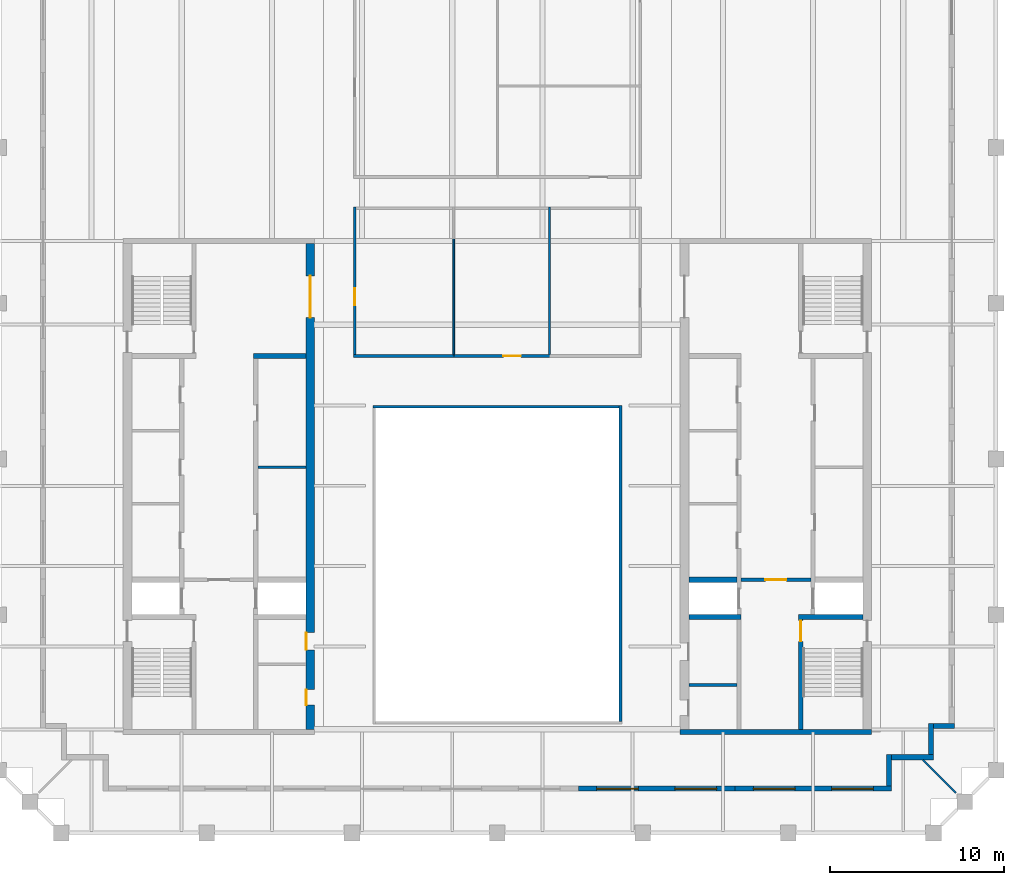
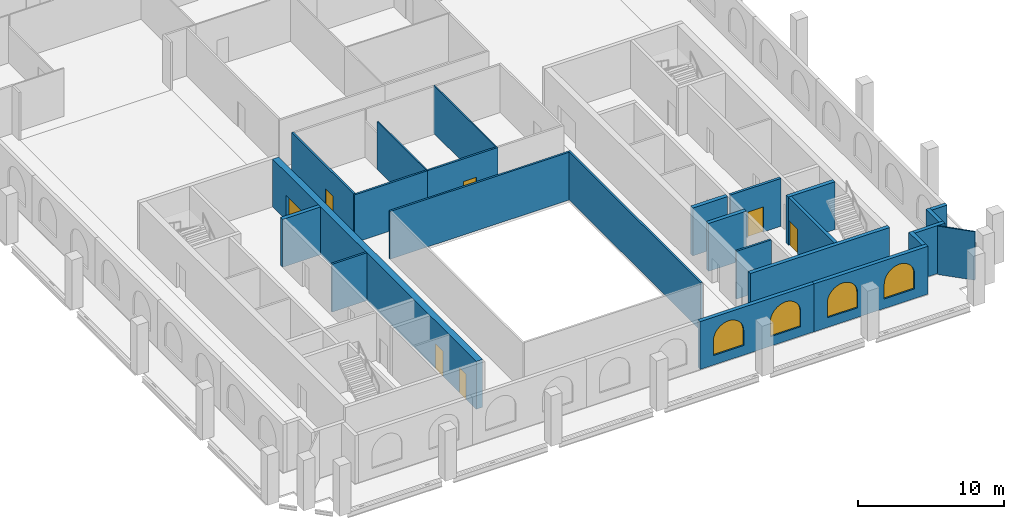
# One storey, part 4 of 10: 24 walls, 7 doors, 4 windows, 11 openings.
"""IFC4 building model written with IfcOpenShell, lengths in metres."""

from ifc_helpers import new_model, si_unit, direction, frame, frame_2d, origin, place, context, subcontext, project, spatial, polyline, rectangle, outline, extrude, material, layer, layer_set, type_object, element, fill, save


model = new_model("IFC4")

# Units and contexts
model_context = context("Model", 3, precision=1e-05, world=origin(), true_north=direction((0.0, 1.0)))
body_context = subcontext(model_context, "Body", "Model", "MODEL_VIEW")
ifc_project = project(units=[si_unit("LENGTHUNIT", "METRE"), si_unit("AREAUNIT", "SQUARE_METRE"), si_unit("VOLUMEUNIT", "CUBIC_METRE"), si_unit("PLANEANGLEUNIT", "RADIAN"), si_unit("MASSUNIT", "GRAM", prefix="KILO")], contexts=[model_context])

# Site, building, storey
site_placement = place(None, origin())
site = spatial("IfcSite", under=ifc_project, at=site_placement, CompositionType="ELEMENT")
building_placement = place(site_placement, origin())
building = spatial("IfcBuilding", under=site, at=building_placement, Name="Ogive Exchange Tower", CompositionType="ELEMENT")
storey_placement = place(building_placement, frame((0.0, 0.0, 369.0)))
storey = spatial("IfcBuildingStorey", under=building, at=storey_placement, Name="C01", CompositionType="ELEMENT", Elevation=369.0)

# Walls
ifc_material_1 = material(Name="Gypsum board partition")
ifc_layer_1 = layer(ifc_material_1, 0.14990234375)
ifc_layer_set_1 = layer_set([ifc_layer_1], Name="Core room partition 150 gypsum")
wall_type_1 = type_object("IfcWallType", Name="Core room partition 150 gypsum", PredefinedType="PARTITIONING", material=ifc_layer_set_1)
for number, where, z_axis, x_axis, name in (
    (1, (-13.75, 12.60009765625, 0.0), (0.0, 0.0, 1.0), (1.0, 0.0, 0.0), "W row B bay partition 1-1"),
    (2, (11.0, 0.10009765625, 0.0), (0.0, 0.0, 1.0), (1.0, 0.0, 0.0), "E south room partition"),
):
    element("IfcWall", number, at=place(storey_placement, frame(where, z_axis=z_axis, x_axis=x_axis)), inside=storey, type_object=wall_type_1, Name=name, PredefinedType="PARTITIONING", context=body_context, shape_type="SweptSolid", body=[
        extrude(rectangle(XDim=2.75, YDim=0.14990234375, at=frame_2d((1.375, 0.0))), origin(), (0.0, 0.0, 1.0), 4.0),
    ])
ifc_layer_2 = layer(ifc_material_1, 0.300048828125)
ifc_layer_set_2 = layer_set([ifc_layer_2], Name="Core room partition 300 gypsum")
wall_type_2 = type_object("IfcWallType", Name="Core room partition 300 gypsum", PredefinedType="PARTITIONING", material=ifc_layer_set_2)
wall_1_placement = place(storey_placement, frame((-14.0, 19.0, 0.0), z_axis=(0.0, 0.0, 1.0), x_axis=(1.0, 0.0, 0.0)))
element("IfcWall", 3, at=wall_1_placement, inside=storey, type_object=wall_type_2, Name="W row B room end wall 7", PredefinedType="PARTITIONING", context=body_context, shape_type="SweptSolid", body=[
    extrude(rectangle(XDim=3.0, YDim=0.300048828125, at=frame_2d((1.5, 0.0))), origin(), (0.0, 0.0, 1.0), 4.0),
])
ifc_material_2 = material(Name="Fire partition EI 60 150")
ifc_layer_3 = layer(ifc_material_2, 0.14990234375)
ifc_layer_set_3 = layer_set([ifc_layer_3], Name="Fire partition EI 60 150")
wall_type_3 = type_object("IfcWallType", Name="Fire partition EI 60 150", PredefinedType="PARTITIONING", material=ifc_layer_set_3)
wall_2_placement = place(storey_placement, frame((-8.27490234375, 19.0, 0.0), z_axis=(0.0, 0.0, 1.0), x_axis=(1.0, 0.0, 0.0)))
element("IfcWall", 4, at=wall_2_placement, inside=storey, type_object=wall_type_3, Name="C01-PWL-009", PredefinedType="PARTITIONING", context=body_context, shape_type="SweptSolid", body=[
    extrude(rectangle(XDim=5.824951171875, YDim=0.14990234375, at=frame_2d((2.91259765625, 0.0))), origin(), (0.0, 0.0, 1.0), 4.0),
])

# Wall, opening, door
wall_3_placement = place(storey_placement, frame((-8.199951171875, 27.554931640625, 0.0), z_axis=(0.0, 0.0, 1.0), x_axis=(0.0, -1.0, 0.0)))
wall_3 = element("IfcWall", 5, at=wall_3_placement, inside=storey, type_object=wall_type_3, Name="C01-PWL-010", PredefinedType="PARTITIONING", context=body_context, shape_type="SweptSolid", body=[
    extrude(rectangle(XDim=8.47998046875, YDim=0.14990234375, at=frame_2d((4.239990234375, 0.0))), origin(), (0.0, 0.0, 1.0), 4.0),
])
opening_1_placement = place(wall_3_placement, frame((4.655029296875, 0.0, 0.0)))
opening_1 = element("IfcOpeningElement", 6, at=opening_1_placement, cuts=wall_3, Name="Opening C01-I12", PredefinedType="OPENING", context=body_context, shape_type="SweptSolid", body=[
    extrude(rectangle(XDim=1.0, YDim=2.10009765625, at=frame_2d((0.5, 1.050048828125))), frame((0.0, 0.0849609375, 0.0), z_axis=(0.0, -1.0, 0.0), x_axis=(1.0, 0.0, 0.0)), (0.0, 0.0, 1.0), 0.169921875),
])
ifc_material_3 = material(Name="Fire door FD 30S 1000 x 2100")
door_type_1 = type_object("IfcDoorType", Name="Fire door FD 30S 1000 x 2100", OperationType="NOTDEFINED", PredefinedType="DOOR", material=ifc_material_3)
door_1_placement = place(opening_1_placement, origin())
door_1 = element("IfcDoor", 7, at=door_1_placement, inside=storey, type_object=door_type_1, Name="C01-IDR-012", ObjectType="DT3", OperationType="SINGLE_SWING_LEFT", OverallHeight=2.10009765625, OverallWidth=1.0, PredefinedType="DOOR", context=body_context, shape_type="SweptSolid", body=[
    extrude(rectangle(XDim=1.0, YDim=2.10009765625, at=frame_2d((0.5, 1.050048828125))), frame((0.0, 0.02490234375, 0.0), z_axis=(0.0, -1.0, 0.0), x_axis=(1.0, 0.0, 0.0)), (0.0, 0.0, 1.0), 0.050048828125),
])
fill(opening_1, door_1)

wall_4_placement = place(storey_placement, frame((-2.5, 19.0, 0.0), z_axis=(0.0, 0.0, 1.0), x_axis=(1.0, 0.0, 0.0)))
wall_4 = element("IfcWall", 8, at=wall_4_placement, inside=storey, type_object=wall_type_3, Name="C01-PWL-018", PredefinedType="PARTITIONING", context=body_context, shape_type="SweptSolid", body=[
    extrude(rectangle(XDim=5.550048828125, YDim=0.14990234375, at=frame_2d((2.77490234375, 0.0))), origin(), (0.0, 0.0, 1.0), 4.0),
])
opening_2_placement = place(wall_4_placement, frame((2.85009765625, 0.0, 0.0)))
opening_2 = element("IfcOpeningElement", 9, at=opening_2_placement, cuts=wall_4, Name="Opening C01-I11", PredefinedType="OPENING", context=body_context, shape_type="SweptSolid", body=[
    extrude(rectangle(XDim=1.0, YDim=2.10009765625, at=frame_2d((0.5, 1.050048828125))), frame((0.0, 0.0849609375, 0.0), z_axis=(0.0, -1.0, 0.0), x_axis=(1.0, 0.0, 0.0)), (0.0, 0.0, 1.0), 0.169921875),
])
door_2_placement = place(opening_2_placement, origin())
door_2 = element("IfcDoor", 10, at=door_2_placement, inside=storey, type_object=door_type_1, Name="C01-IDR-011", ObjectType="DT3", OperationType="SINGLE_SWING_LEFT", OverallHeight=2.10009765625, OverallWidth=1.0, PredefinedType="DOOR", context=body_context, shape_type="SweptSolid", body=[
    extrude(rectangle(XDim=1.0, YDim=2.10009765625, at=frame_2d((0.5, 1.050048828125))), frame((0.0, 0.02490234375, 0.0), z_axis=(0.0, -1.0, 0.0), x_axis=(1.0, 0.0, 0.0)), (0.0, 0.0, 1.0), 0.050048828125),
])
fill(opening_2, door_2)

# Walls
ifc_material_4 = material(Name="Fire-resisting glass in steel frame", Category="steel")
ifc_layer_4 = layer(ifc_material_4, 0.14990234375)
ifc_layer_set_4 = layer_set([ifc_layer_4], Name="Fire-rated glazed wall 150")
wall_type_4 = type_object("IfcWallType", Name="Fire-rated glazed wall 150", PredefinedType="STANDARD", material=ifc_layer_set_4)
wall_5_placement = place(storey_placement, frame((-7.14990234375, 16.074951171875, 0.0), z_axis=(0.0, 0.0, 1.0), x_axis=(1.0, 0.0, 0.0)))
element("IfcWall", 11, at=wall_5_placement, inside=storey, type_object=wall_type_4, Name="Nave enclosure wall 2", PredefinedType="STANDARD", context=body_context, shape_type="SweptSolid", body=[
    extrude(rectangle(XDim=14.14990234375, YDim=0.14990234375, at=frame_2d((7.074951171875, 0.0))), origin(), (0.0, 0.0, 1.0), 4.0),
])
wall_6_placement = place(storey_placement, frame((7.074951171875, 16.14990234375, 0.0), z_axis=(0.0, 0.0, 1.0), x_axis=(0.0, -1.0, 0.0)))
element("IfcWall", 12, at=wall_6_placement, inside=storey, type_object=wall_type_4, Name="Nave enclosure wall 3", PredefinedType="STANDARD", context=body_context, shape_type="SweptSolid", body=[
    extrude(rectangle(XDim=18.14990234375, YDim=0.14990234375, at=frame_2d((9.074951171875, 0.0))), origin(), (0.0, 0.0, 1.0), 4.0),
])
ifc_material_5 = material(Name="Laminated safety glass in steel frame", Category="steel")
ifc_layer_5 = layer(ifc_material_5, 0.10009765625)
ifc_layer_set_5 = layer_set([ifc_layer_5], Name="Loggia end screen 100")
wall_type_5 = type_object("IfcWallType", Name="Loggia end screen 100", PredefinedType="STANDARD", material=ifc_layer_set_5)
wall_7_placement = place(storey_placement, frame((24.449951171875, -4.199951171875, -0.050048828125), z_axis=(0.0, 0.0, 1.0), x_axis=(0.707106781187, -0.707106781187, 0.0)))
element("IfcWall", 13, at=wall_7_placement, inside=storey, type_object=wall_type_5, Name="Loggia end screen C1", PredefinedType="STANDARD", context=body_context, shape_type="SweptSolid", body=[
    extrude(rectangle(XDim=2.667236328125, YDim=0.10009765625, at=frame_2d((1.33349609375, 0.0))), origin(), (0.0, 0.0, 1.0), 4.050048828125),
])
ifc_material_6 = material(Name="Partition 100 gypsum")
ifc_layer_6 = layer(ifc_material_6, 0.10009765625)
ifc_layer_set_6 = layer_set([ifc_layer_6], Name="Partition 100 gypsum")
wall_type_6 = type_object("IfcWallType", Name="Partition 100 gypsum", PredefinedType="PARTITIONING", material=ifc_layer_set_6)
wall_8_placement = place(storey_placement, frame((-2.5, 19.074951171875, 0.0), z_axis=(0.0, 0.0, 1.0), x_axis=(0.0, 1.0, 0.0)))
element("IfcWall", 14, at=wall_8_placement, inside=storey, type_object=wall_type_6, Name="C01-PWL-017", PredefinedType="PARTITIONING", context=body_context, shape_type="SweptSolid", body=[
    extrude(rectangle(XDim=6.670166015625, YDim=0.10009765625, at=frame_2d((3.3349609375, 0.0))), origin(), (0.0, 0.0, 1.0), 4.0),
])
wall_9_placement = place(storey_placement, frame((3.0, 19.074951171875, 0.0), z_axis=(0.0, 0.0, 1.0), x_axis=(0.0, 1.0, 0.0)))
element("IfcWall", 15, at=wall_9_placement, inside=storey, type_object=wall_type_6, Name="C01-PWL-028", PredefinedType="PARTITIONING", context=body_context, shape_type="SweptSolid", body=[
    extrude(rectangle(XDim=8.47998046875, YDim=0.10009765625, at=frame_2d((4.239990234375, 0.0))), origin(), (0.0, 0.0, 1.0), 4.0),
])

# Wall, opening, door
ifc_material_7 = material(Name="Concrete C70/85", Category="concrete")
ifc_layer_7 = layer(ifc_material_7, 0.199951171875)
ifc_layer_set_7 = layer_set([ifc_layer_7], Name="RC core wall 200 C70/85")
wall_type_7 = type_object("IfcWallType", Name="RC core wall 200 C70/85", PredefinedType="SHEAR", material=ifc_layer_set_7)
wall_10_placement = place(storey_placement, frame((14.0, 6.142822265625, 0.0), z_axis=(0.0, 0.0, 1.0), x_axis=(1.0, 0.0, 0.0)))
wall_10 = element("IfcWall", 16, at=wall_10_placement, inside=storey, type_object=wall_type_7, Name="E firefighting lobby wall", PredefinedType="SHEAR", context=body_context, shape_type="SweptSolid", body=[
    extrude(rectangle(XDim=4.0, YDim=0.199951171875, at=frame_2d((2.0, 0.0))), origin(), (0.0, 0.0, 1.0), 4.0),
])
opening_3_placement = place(wall_10_placement, frame((1.39990234375, 0.0, 0.0)))
opening_3 = element("IfcOpeningElement", 17, at=opening_3_placement, cuts=wall_10, Name="Opening C01-C23", PredefinedType="OPENING", context=body_context, shape_type="SweptSolid", body=[
    extrude(rectangle(XDim=1.199951171875, YDim=2.10009765625, at=frame_2d((0.60009765625, 1.050048828125))), frame((0.0, 0.10986328125, 0.0), z_axis=(0.0, -1.0, 0.0), x_axis=(1.0, 0.0, 0.0)), (0.0, 0.0, 1.0), 0.219970703125),
])
ifc_material_8 = material(Name="Steel fire door", Category="steel")
door_type_2 = type_object("IfcDoorType", Name="Firefighting lobby door FD60 1200 x 2100", OperationType="NOTDEFINED", PredefinedType="DOOR", material=ifc_material_8)
door_3_placement = place(opening_3_placement, frame((1.199951171875, 0.0, 0.0), z_axis=(0.0, 0.0, 1.0), x_axis=(-1.0, 0.0, 0.0)))
door_3 = element("IfcDoor", 18, at=door_3_placement, inside=storey, type_object=door_type_2, Name="Firefighting lobby door", ObjectType="CD3", OperationType="SINGLE_SWING_LEFT", OverallHeight=2.10009765625, OverallWidth=1.199951171875, PredefinedType="DOOR", context=body_context, shape_type="SweptSolid", body=[
    extrude(rectangle(XDim=1.199951171875, YDim=2.10009765625, at=frame_2d((0.60009765625, 1.050048828125))), frame((0.0, 0.02490234375, 0.0), z_axis=(0.0, -1.0, 0.0), x_axis=(1.0, 0.0, 0.0)), (0.0, 0.0, 1.0), 0.050048828125),
])
fill(opening_3, door_3)

ifc_layer_8 = layer(ifc_material_7, 0.25)
ifc_layer_set_8 = layer_set([ifc_layer_8], Name="RC core wall 250 C70/85")
wall_type_8 = type_object("IfcWallType", Name="RC core wall 250 C70/85", PredefinedType="SHEAR", material=ifc_layer_set_8)
wall_11_placement = place(storey_placement, frame((17.425048828125, -2.449951171875, 0.0), z_axis=(0.0, 0.0, 1.0), x_axis=(0.0, 1.0, 0.0)))
wall_11 = element("IfcWall", 19, at=wall_11_placement, inside=storey, type_object=wall_type_8, Name="E stair S front wall", PredefinedType="SHEAR", context=body_context, shape_type="SweptSolid", body=[
    extrude(rectangle(XDim=6.300048828125, YDim=0.25, at=frame_2d((3.14990234375, 0.0))), origin(), (0.0, 0.0, 1.0), 4.0),
])
opening_4_placement = place(wall_11_placement, frame((5.050048828125, 0.0, 0.0)))
opening_4 = element("IfcOpeningElement", 20, at=opening_4_placement, cuts=wall_11, Name="Opening C01-C25", PredefinedType="OPENING", context=body_context, shape_type="SweptSolid", body=[
    extrude(rectangle(XDim=1.199951171875, YDim=2.10009765625, at=frame_2d((0.60009765625, 1.050048828125))), frame((0.0, 0.135009765625, 0.0), z_axis=(0.0, -1.0, 0.0), x_axis=(1.0, 0.0, 0.0)), (0.0, 0.0, 1.0), 0.27001953125),
])
door_type_3 = type_object("IfcDoorType", Name="Stair door FD90 1200 x 2100", OperationType="NOTDEFINED", PredefinedType="DOOR", material=ifc_material_8)
door_4_placement = place(opening_4_placement, frame((1.199951171875, 0.0, 0.0), z_axis=(0.0, 0.0, 1.0), x_axis=(-1.0, 0.0, 0.0)))
door_4 = element("IfcDoor", 21, at=door_4_placement, inside=storey, type_object=door_type_3, Name="Stair door", ObjectType="CD5", OperationType="SINGLE_SWING_RIGHT", OverallHeight=2.10009765625, OverallWidth=1.199951171875, PredefinedType="DOOR", context=body_context, shape_type="SweptSolid", body=[
    extrude(rectangle(XDim=1.199951171875, YDim=2.10009765625, at=frame_2d((0.60009765625, 1.050048828125))), frame((0.0, 0.02490234375, 0.0), z_axis=(0.0, -1.0, 0.0), x_axis=(1.0, 0.0, 0.0)), (0.0, 0.0, 1.0), 0.050048828125),
])
fill(opening_4, door_4)

# Walls
ifc_layer_9 = layer(ifc_material_7, 0.300048828125)
ifc_layer_set_9 = layer_set([ifc_layer_9], Name="RC core wall 300 C70/85")
wall_type_9 = type_object("IfcWallType", Name="RC core wall 300 C70/85", PredefinedType="SHEAR", material=ifc_layer_set_9)
wall_12_placement = place(storey_placement, frame((10.5, -2.60009765625, 0.0), z_axis=(0.0, 0.0, 1.0), x_axis=(1.0, 0.0, 0.0)))
element("IfcWall", 22, at=wall_12_placement, inside=storey, type_object=wall_type_9, Name="E south end wall", PredefinedType="SHEAR", context=body_context, shape_type="SweptSolid", body=[
    extrude(rectangle(XDim=11.0, YDim=0.300048828125, at=frame_2d((5.5, 0.0))), origin(), (0.0, 0.0, 1.0), 4.0),
])
wall_13_placement = place(storey_placement, frame((17.300048828125, 4.0, 0.0), z_axis=(0.0, 0.0, 1.0), x_axis=(1.0, 0.0, 0.0)))
element("IfcWall", 23, at=wall_13_placement, inside=storey, type_object=wall_type_9, Name="E stair S north wall", PredefinedType="SHEAR", context=body_context, shape_type="SweptSolid", body=[
    extrude(rectangle(XDim=3.699951171875, YDim=0.300048828125, at=frame_2d((1.85009765625, 0.0))), origin(), (0.0, 0.0, 1.0), 4.0),
])
wall_14_placement = place(storey_placement, frame((11.0, 4.0, 0.0), z_axis=(0.0, 0.0, 1.0), x_axis=(1.0, 0.0, 0.0)))
element("IfcWall", 24, at=wall_14_placement, inside=storey, type_object=wall_type_9, Name="E row B divider 0", PredefinedType="SHEAR", context=body_context, shape_type="SweptSolid", body=[
    extrude(rectangle(XDim=3.0, YDim=0.300048828125, at=frame_2d((1.5, 0.0))), origin(), (0.0, 0.0, 1.0), 4.0),
])
wall_15_placement = place(storey_placement, frame((11.0, 6.142822265625, 0.0), z_axis=(0.0, 0.0, 1.0), x_axis=(1.0, 0.0, 0.0)))
element("IfcWall", 25, at=wall_15_placement, inside=storey, type_object=wall_type_9, Name="E row B divider 1", PredefinedType="SHEAR", context=body_context, shape_type="SweptSolid", body=[
    extrude(rectangle(XDim=2.75, YDim=0.300048828125, at=frame_2d((1.375, 0.0))), origin(), (0.0, 0.0, 1.0), 4.0),
])

# Wall, openings, doors
ifc_layer_10 = layer(ifc_material_7, 0.5)
ifc_layer_set_10 = layer_set([ifc_layer_10], Name="RC core wall 500 C70/85")
wall_type_10 = type_object("IfcWallType", Name="RC core wall 500 C70/85", PredefinedType="SHEAR", material=ifc_layer_set_10)
wall_16_placement = place(storey_placement, frame((-10.75, -2.449951171875, 0.0), z_axis=(0.0, 0.0, 1.0), x_axis=(0.0, 1.0, 0.0)))
wall_16 = element("IfcWall", 26, at=wall_16_placement, inside=storey, type_object=wall_type_10, Name="W inner wall", PredefinedType="SHEAR", context=body_context, shape_type="SweptSolid", body=[
    extrude(rectangle(XDim=27.89990234375, YDim=0.5, at=frame_2d((13.949951171875, 0.0))), origin(), (0.0, 0.0, 1.0), 4.0),
])
opening_5_placement = place(wall_16_placement, frame((23.64990234375, 0.0, 0.0)))
opening_5 = element("IfcOpeningElement", 27, at=opening_5_placement, cuts=wall_16, Name="Opening C01-C09", PredefinedType="OPENING", context=body_context, shape_type="SweptSolid", body=[
    extrude(rectangle(XDim=2.39990234375, YDim=2.10009765625, at=frame_2d((1.199951171875, 1.050048828125))), frame((0.0, 0.260009765625, 0.0), z_axis=(0.0, -1.0, 0.0), x_axis=(1.0, 0.0, 0.0)), (0.0, 0.0, 1.0), 0.52001953125),
])
opening_6_placement = place(wall_16_placement, frame((1.387451171875, 0.0, 0.0)))
opening_6 = element("IfcOpeningElement", 28, at=opening_6_placement, cuts=wall_16, Name="Opening C01-C14", PredefinedType="OPENING", context=body_context, shape_type="SweptSolid", body=[
    extrude(rectangle(XDim=0.89990234375, YDim=2.10009765625, at=frame_2d((0.449951171875, 1.050048828125))), frame((0.0, 0.260009765625, 0.0), z_axis=(0.0, -1.0, 0.0), x_axis=(1.0, 0.0, 0.0)), (0.0, 0.0, 1.0), 0.52001953125),
])
opening_7_placement = place(wall_16_placement, frame((4.5625, 0.0, 0.0)))
opening_7 = element("IfcOpeningElement", 29, at=opening_7_placement, cuts=wall_16, Name="Opening C01-C15", PredefinedType="OPENING", context=body_context, shape_type="SweptSolid", body=[
    extrude(rectangle(XDim=1.0, YDim=2.10009765625, at=frame_2d((0.5, 1.050048828125))), frame((0.0, 0.260009765625, 0.0), z_axis=(0.0, -1.0, 0.0), x_axis=(1.0, 0.0, 0.0)), (0.0, 0.0, 1.0), 0.52001953125),
])
ifc_material_9 = material(Name="Timber fire door", Category="wood")
door_type_4 = type_object("IfcDoorType", Name="Accessible WC door FD30S 1000 x 2100", OperationType="NOTDEFINED", PredefinedType="DOOR", material=ifc_material_9)
door_5_placement = place(opening_7_placement, frame((1.0, 0.4501953125, 0.0), z_axis=(0.0, 0.0, 1.0), x_axis=(-1.0, 0.0, 0.0)))
door_5 = element("IfcDoor", 30, at=door_5_placement, inside=storey, type_object=door_type_4, Name="Accessible WC door", ObjectType="CD7", OperationType="SINGLE_SWING_LEFT", OverallHeight=2.10009765625, OverallWidth=1.0, PredefinedType="DOOR", context=body_context, shape_type="SweptSolid", body=[
    extrude(rectangle(XDim=1.0, YDim=2.10009765625, at=frame_2d((0.5, 1.050048828125))), frame((0.0, 0.25, 0.0), z_axis=(0.0, -1.0, 0.0), x_axis=(1.0, 0.0, 0.0)), (0.0, 0.0, 1.0), 0.050048828125),
])
fill(opening_7, door_5)
door_type_5 = type_object("IfcDoorType", Name="Core room door FD30S 900 x 2100", OperationType="NOTDEFINED", PredefinedType="DOOR", material=ifc_material_9)
door_6_placement = place(opening_6_placement, frame((0.89990234375, 0.4501953125, 0.0), z_axis=(0.0, 0.0, 1.0), x_axis=(-1.0, 0.0, 0.0)))
door_6 = element("IfcDoor", 31, at=door_6_placement, inside=storey, type_object=door_type_5, Name="Core room door", ObjectType="CD6", OperationType="SINGLE_SWING_LEFT", OverallHeight=2.10009765625, OverallWidth=0.89990234375, PredefinedType="DOOR", context=body_context, shape_type="SweptSolid", body=[
    extrude(rectangle(XDim=0.89990234375, YDim=2.10009765625, at=frame_2d((0.449951171875, 1.050048828125))), frame((0.0, 0.25, 0.0), z_axis=(0.0, -1.0, 0.0), x_axis=(1.0, 0.0, 0.0)), (0.0, 0.0, 1.0), 0.050048828125),
])
fill(opening_6, door_6)
ifc_material_10 = material(Name="Glazed steel fire door", Category="steel")
door_type_6 = type_object("IfcDoorType", Name="Lift lobby double door FD60 2400 x 2100", OperationType="DOUBLE_DOOR_SINGLE_SWING", PredefinedType="DOOR", material=ifc_material_10)
door_7_placement = place(opening_5_placement, frame((2.39990234375, 0.0, 0.0), z_axis=(0.0, 0.0, 1.0), x_axis=(-1.0, 0.0, 0.0)))
door_7 = element("IfcDoor", 32, at=door_7_placement, inside=storey, type_object=door_type_6, Name="Lift lobby double door", ObjectType="CD4", OperationType="DOUBLE_DOOR_SINGLE_SWING", OverallHeight=2.10009765625, OverallWidth=2.39990234375, PredefinedType="DOOR", context=body_context, shape_type="SweptSolid", body=[
    extrude(rectangle(XDim=2.39990234375, YDim=2.10009765625, at=frame_2d((1.199951171875, 1.050048828125))), frame((0.0, 0.02490234375, 0.0), z_axis=(0.0, -1.0, 0.0), x_axis=(1.0, 0.0, 0.0)), (0.0, 0.0, 1.0), 0.050048828125),
])
fill(opening_5, door_7)

# Wall, openings, windows
ifc_material_11 = material(Name="Precast concrete C40/50", Category="concrete")
ifc_layer_11 = layer(ifc_material_11, 0.300048828125)
ifc_layer_set_11 = layer_set([ifc_layer_11], Name="Zinc-clad crown wall 300")
wall_type_11 = type_object("IfcWallType", Name="Zinc-clad crown wall 300", PredefinedType="STANDARD", material=ifc_layer_set_11)
wall_17_placement = place(storey_placement, frame((4.64990234375, -5.85009765625, 0.0), z_axis=(0.0, 0.0, 1.0), x_axis=(1.0, 0.0, 0.0)))
wall_17 = element("IfcWall", 33, at=wall_17_placement, inside=storey, type_object=wall_type_11, Name="Crown wall 7", PredefinedType="STANDARD", context=body_context, shape_type="SweptSolid", body=[
    extrude(rectangle(XDim=9.0, YDim=0.300048828125, at=frame_2d((4.5, 0.0))), origin(), (0.0, 0.0, 1.0), 4.0),
])
opening_8_placement = place(wall_17_placement, frame((1.050048828125, 0.0, 0.800048828125)))
opening_8 = element("IfcOpeningElement", 34, at=opening_8_placement, cuts=wall_17, Name="Opening WC25", PredefinedType="OPENING", context=body_context, shape_type="SweptSolid", body=[
    extrude(outline(polyline([(0.0, 0.0), (2.39990234375, 0.0), (2.39990234375, 1.25), (2.377197265625, 1.48779296875), (2.3095703125, 1.717041015625), (2.19970703125, 1.928955078125), (2.05126953125, 2.116455078125), (1.8701171875, 2.272216796875), (1.662841796875, 2.390625), (1.4365234375, 2.467529296875), (1.199951171875, 2.5), (0.96337890625, 2.467529296875), (0.737060546875, 2.390625), (0.52978515625, 2.272216796875), (0.3486328125, 2.116455078125), (0.2001953125, 1.928955078125), (0.09033203125, 1.717041015625), (0.022705078125, 1.48779296875), (0.0, 1.25), (0.0, 0.0)])), frame((0.0, 0.159912109375, 0.0), z_axis=(0.0, -1.0, 0.0), x_axis=(1.0, 0.0, 0.0)), (0.0, 0.0, 1.0), 0.320068359375),
])
opening_9_placement = place(wall_17_placement, frame((5.550048828125, 0.0, 0.800048828125)))
opening_9 = element("IfcOpeningElement", 35, at=opening_9_placement, cuts=wall_17, Name="Opening WC25", PredefinedType="OPENING", context=body_context, shape_type="SweptSolid", body=[
    extrude(outline(polyline([(0.0, 0.0), (2.39990234375, 0.0), (2.39990234375, 1.25), (2.377197265625, 1.48779296875), (2.3095703125, 1.717041015625), (2.19970703125, 1.928955078125), (2.05126953125, 2.116455078125), (1.8701171875, 2.272216796875), (1.662841796875, 2.390625), (1.4365234375, 2.467529296875), (1.199951171875, 2.5), (0.96337890625, 2.467529296875), (0.737060546875, 2.390625), (0.52978515625, 2.272216796875), (0.3486328125, 2.116455078125), (0.2001953125, 1.928955078125), (0.09033203125, 1.717041015625), (0.022705078125, 1.48779296875), (0.0, 1.25), (0.0, 0.0)])), frame((0.0, 0.159912109375, 0.0), z_axis=(0.0, -1.0, 0.0), x_axis=(1.0, 0.0, 0.0)), (0.0, 0.0, 1.0), 0.320068359375),
])
ifc_material_12 = material(Name="Clear glass in bronze frame", Category="glass")
window_type = type_object("IfcWindowType", Name="Crown lancet window 2400 x 2500", PartitioningType="DOUBLE_PANEL_VERTICAL", PredefinedType="WINDOW", material=ifc_material_12)
window_1_placement = place(opening_8_placement, origin())
window_1 = element("IfcWindow", 36, at=window_1_placement, inside=storey, type_object=window_type, Name="Crown lancet 7.1", OverallHeight=2.5, OverallWidth=2.39990234375, PartitioningType="DOUBLE_PANEL_VERTICAL", PredefinedType="WINDOW", context=body_context, shape_type="SweptSolid", body=[
    extrude(outline(polyline([(0.0, 0.0), (2.39990234375, 0.0), (2.39990234375, 1.25), (2.377197265625, 1.48779296875), (2.3095703125, 1.717041015625), (2.19970703125, 1.928955078125), (2.05126953125, 2.116455078125), (1.8701171875, 2.272216796875), (1.662841796875, 2.390625), (1.4365234375, 2.467529296875), (1.199951171875, 2.5), (0.96337890625, 2.467529296875), (0.737060546875, 2.390625), (0.52978515625, 2.272216796875), (0.3486328125, 2.116455078125), (0.2001953125, 1.928955078125), (0.09033203125, 1.717041015625), (0.022705078125, 1.48779296875), (0.0, 1.25), (0.0, 0.0)])), frame((0.0, 0.030029296875, 0.0), z_axis=(0.0, -1.0, 0.0), x_axis=(1.0, 0.0, 0.0)), (0.0, 0.0, 1.0), 0.06005859375),
])
fill(opening_8, window_1)
window_2_placement = place(opening_9_placement, origin())
window_2 = element("IfcWindow", 37, at=window_2_placement, inside=storey, type_object=window_type, Name="Crown lancet 7.2", OverallHeight=2.5, OverallWidth=2.39990234375, PartitioningType="DOUBLE_PANEL_VERTICAL", PredefinedType="WINDOW", context=body_context, shape_type="SweptSolid", body=[
    extrude(outline(polyline([(0.0, 0.0), (2.39990234375, 0.0), (2.39990234375, 1.25), (2.377197265625, 1.48779296875), (2.3095703125, 1.717041015625), (2.19970703125, 1.928955078125), (2.05126953125, 2.116455078125), (1.8701171875, 2.272216796875), (1.662841796875, 2.390625), (1.4365234375, 2.467529296875), (1.199951171875, 2.5), (0.96337890625, 2.467529296875), (0.737060546875, 2.390625), (0.52978515625, 2.272216796875), (0.3486328125, 2.116455078125), (0.2001953125, 1.928955078125), (0.09033203125, 1.717041015625), (0.022705078125, 1.48779296875), (0.0, 1.25), (0.0, 0.0)])), frame((0.0, 0.030029296875, 0.0), z_axis=(0.0, -1.0, 0.0), x_axis=(1.0, 0.0, 0.0)), (0.0, 0.0, 1.0), 0.06005859375),
])
fill(opening_9, window_2)

wall_18_placement = place(storey_placement, frame((13.64990234375, -5.85009765625, 0.0), z_axis=(0.0, 0.0, 1.0), x_axis=(1.0, 0.0, 0.0)))
wall_18 = element("IfcWall", 38, at=wall_18_placement, inside=storey, type_object=wall_type_11, Name="Crown wall 8", PredefinedType="STANDARD", context=body_context, shape_type="SweptSolid", body=[
    extrude(rectangle(XDim=9.0, YDim=0.300048828125, at=frame_2d((4.5, 0.0))), origin(), (0.0, 0.0, 1.0), 4.0),
])
opening_10_placement = place(wall_18_placement, frame((1.050048828125, 0.0, 0.800048828125)))
opening_10 = element("IfcOpeningElement", 39, at=opening_10_placement, cuts=wall_18, Name="Opening WC25", PredefinedType="OPENING", context=body_context, shape_type="SweptSolid", body=[
    extrude(outline(polyline([(0.0, 0.0), (2.39990234375, 0.0), (2.39990234375, 1.25), (2.377197265625, 1.48779296875), (2.3095703125, 1.717041015625), (2.19970703125, 1.928955078125), (2.05126953125, 2.116455078125), (1.8701171875, 2.272216796875), (1.662841796875, 2.390625), (1.4365234375, 2.467529296875), (1.199951171875, 2.5), (0.96337890625, 2.467529296875), (0.737060546875, 2.390625), (0.52978515625, 2.272216796875), (0.3486328125, 2.116455078125), (0.2001953125, 1.928955078125), (0.09033203125, 1.717041015625), (0.022705078125, 1.48779296875), (0.0, 1.25), (0.0, 0.0)])), frame((0.0, 0.159912109375, 0.0), z_axis=(0.0, -1.0, 0.0), x_axis=(1.0, 0.0, 0.0)), (0.0, 0.0, 1.0), 0.320068359375),
])
opening_11_placement = place(wall_18_placement, frame((5.550048828125, 0.0, 0.800048828125)))
opening_11 = element("IfcOpeningElement", 40, at=opening_11_placement, cuts=wall_18, Name="Opening WC25", PredefinedType="OPENING", context=body_context, shape_type="SweptSolid", body=[
    extrude(outline(polyline([(0.0, 0.0), (2.39990234375, 0.0), (2.39990234375, 1.25), (2.377197265625, 1.48779296875), (2.3095703125, 1.717041015625), (2.19970703125, 1.928955078125), (2.05126953125, 2.116455078125), (1.8701171875, 2.272216796875), (1.662841796875, 2.390625), (1.4365234375, 2.467529296875), (1.199951171875, 2.5), (0.96337890625, 2.467529296875), (0.737060546875, 2.390625), (0.52978515625, 2.272216796875), (0.3486328125, 2.116455078125), (0.2001953125, 1.928955078125), (0.09033203125, 1.717041015625), (0.022705078125, 1.48779296875), (0.0, 1.25), (0.0, 0.0)])), frame((0.0, 0.159912109375, 0.0), z_axis=(0.0, -1.0, 0.0), x_axis=(1.0, 0.0, 0.0)), (0.0, 0.0, 1.0), 0.320068359375),
])
window_3_placement = place(opening_10_placement, origin())
window_3 = element("IfcWindow", 41, at=window_3_placement, inside=storey, type_object=window_type, Name="Crown lancet 8.1", OverallHeight=2.5, OverallWidth=2.39990234375, PartitioningType="DOUBLE_PANEL_VERTICAL", PredefinedType="WINDOW", context=body_context, shape_type="SweptSolid", body=[
    extrude(outline(polyline([(0.0, 0.0), (2.39990234375, 0.0), (2.39990234375, 1.25), (2.377197265625, 1.48779296875), (2.3095703125, 1.717041015625), (2.19970703125, 1.928955078125), (2.05126953125, 2.116455078125), (1.8701171875, 2.272216796875), (1.662841796875, 2.390625), (1.4365234375, 2.467529296875), (1.199951171875, 2.5), (0.96337890625, 2.467529296875), (0.737060546875, 2.390625), (0.52978515625, 2.272216796875), (0.3486328125, 2.116455078125), (0.2001953125, 1.928955078125), (0.09033203125, 1.717041015625), (0.022705078125, 1.48779296875), (0.0, 1.25), (0.0, 0.0)])), frame((0.0, 0.030029296875, 0.0), z_axis=(0.0, -1.0, 0.0), x_axis=(1.0, 0.0, 0.0)), (0.0, 0.0, 1.0), 0.06005859375),
])
fill(opening_10, window_3)
window_4_placement = place(opening_11_placement, origin())
window_4 = element("IfcWindow", 42, at=window_4_placement, inside=storey, type_object=window_type, Name="Crown lancet 8.2", OverallHeight=2.5, OverallWidth=2.39990234375, PartitioningType="DOUBLE_PANEL_VERTICAL", PredefinedType="WINDOW", context=body_context, shape_type="SweptSolid", body=[
    extrude(outline(polyline([(0.0, 0.0), (2.39990234375, 0.0), (2.39990234375, 1.25), (2.377197265625, 1.48779296875), (2.3095703125, 1.717041015625), (2.19970703125, 1.928955078125), (2.05126953125, 2.116455078125), (1.8701171875, 2.272216796875), (1.662841796875, 2.390625), (1.4365234375, 2.467529296875), (1.199951171875, 2.5), (0.96337890625, 2.467529296875), (0.737060546875, 2.390625), (0.52978515625, 2.272216796875), (0.3486328125, 2.116455078125), (0.2001953125, 1.928955078125), (0.09033203125, 1.717041015625), (0.022705078125, 1.48779296875), (0.0, 1.25), (0.0, 0.0)])), frame((0.0, 0.030029296875, 0.0), z_axis=(0.0, -1.0, 0.0), x_axis=(1.0, 0.0, 0.0)), (0.0, 0.0, 1.0), 0.06005859375),
])
fill(opening_11, window_4)

# Walls
wall_19_placement = place(storey_placement, frame((22.5, -5.699951171875, 0.0), z_axis=(0.0, 0.0, 1.0), x_axis=(0.0, 1.0, 0.0)))
element("IfcWall", 43, at=wall_19_placement, inside=storey, type_object=wall_type_11, Name="Crown wall 9", PredefinedType="STANDARD", context=body_context, shape_type="SweptSolid", body=[
    extrude(rectangle(XDim=1.800048828125, YDim=0.300048828125, at=frame_2d((0.89990234375, 0.0))), origin(), (0.0, 0.0, 1.0), 4.0),
])
wall_20_placement = place(storey_placement, frame((22.64990234375, -4.050048828125, 0.0), z_axis=(0.0, 0.0, 1.0), x_axis=(1.0, 0.0, 0.0)))
element("IfcWall", 44, at=wall_20_placement, inside=storey, type_object=wall_type_11, Name="Crown wall 10", PredefinedType="STANDARD", context=body_context, shape_type="SweptSolid", body=[
    extrude(rectangle(XDim=2.400146484375, YDim=0.300048828125, at=frame_2d((1.2001953125, 0.0))), origin(), (0.0, 0.0, 1.0), 4.0),
])
wall_21_placement = place(storey_placement, frame((24.89990234375, -3.89990234375, 0.0), z_axis=(0.0, 0.0, 1.0), x_axis=(0.0, 1.0, 0.0)))
element("IfcWall", 45, at=wall_21_placement, inside=storey, type_object=wall_type_11, Name="Crown wall 11", PredefinedType="STANDARD", context=body_context, shape_type="SweptSolid", body=[
    extrude(rectangle(XDim=1.7998046875, YDim=0.300048828125, at=frame_2d((0.89990234375, 0.0))), origin(), (0.0, 0.0, 1.0), 4.0),
])
wall_22_placement = place(storey_placement, frame((25.050048828125, -2.25, 0.0), z_axis=(0.0, 0.0, 1.0), x_axis=(1.0, 0.0, 0.0)))
element("IfcWall", 46, at=wall_22_placement, inside=storey, type_object=wall_type_11, Name="Crown wall 12", PredefinedType="STANDARD", context=body_context, shape_type="SweptSolid", body=[
    extrude(rectangle(XDim=1.199951171875, YDim=0.300048828125, at=frame_2d((0.60009765625, 0.0))), origin(), (0.0, 0.0, 1.0), 4.0),
])

save(model, "model.ifc")
